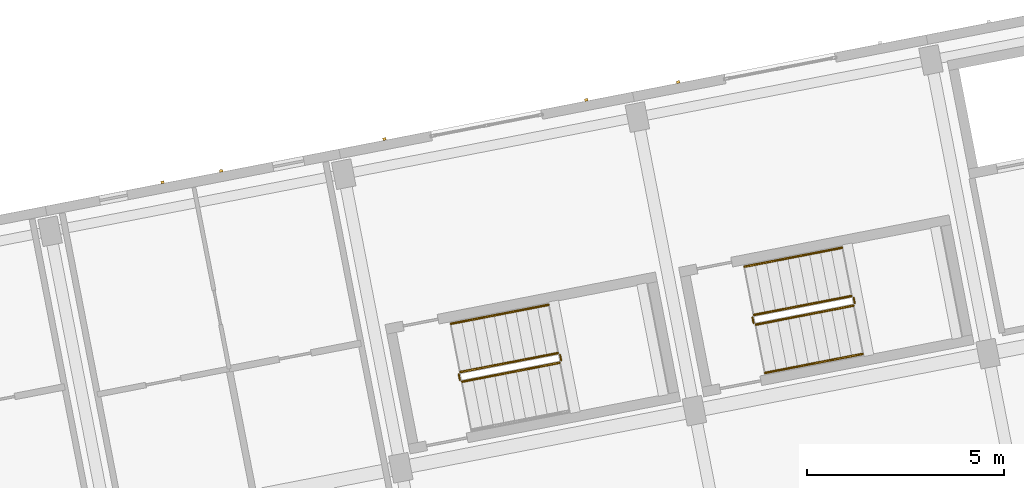
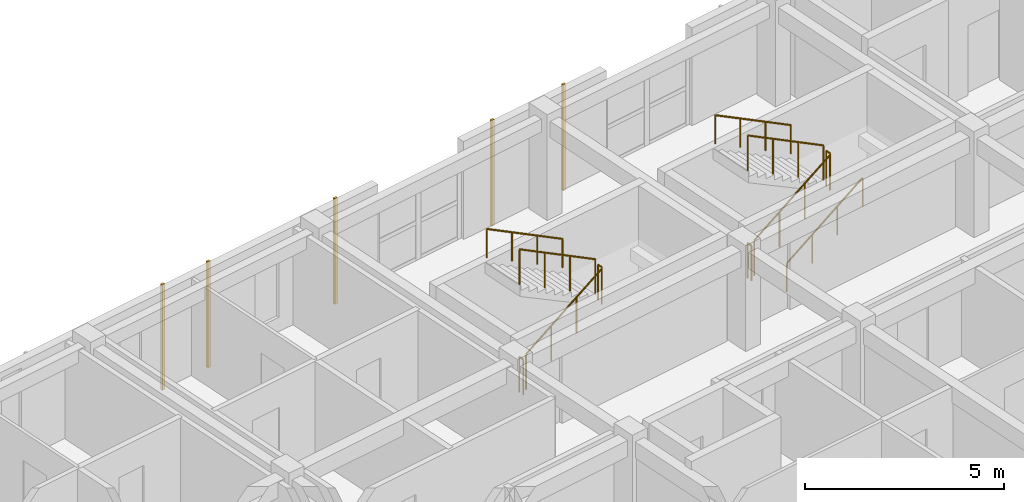
# One storey, part 67 of 74: 11 railings, 5 coverings.
"""IFC4 building model written with IfcOpenShell, lengths in metres."""

from ifc_helpers import new_model, si_unit, direction, frame, origin, origin_2d, place, context, subcontext, project, spatial, rectangle, circle, extrude, material, layer, layer_set, type_object, element, save


model = new_model("IFC4")

# Units and contexts
model_context = context("Model", 3, precision=1e-05, world=origin(), true_north=direction((0.0, 1.0)))
body_context = subcontext(model_context, "Body", "Model", "MODEL_VIEW")
ifc_project = project(units=[si_unit("LENGTHUNIT", "METRE"), si_unit("AREAUNIT", "SQUARE_METRE"), si_unit("VOLUMEUNIT", "CUBIC_METRE"), si_unit("PLANEANGLEUNIT", "RADIAN"), si_unit("MASSUNIT", "GRAM", prefix="KILO")], contexts=[model_context])

# Site, building, storey
site_placement = place(None, origin())
site = spatial("IfcSite", under=ifc_project, at=site_placement, CompositionType="ELEMENT")
building_placement = place(site_placement, origin())
building = spatial("IfcBuilding", under=site, at=building_placement, Name="Kestramere Prow Commons", CompositionType="ELEMENT")
storey_placement = place(building_placement, frame((0.0, 0.0, 11.64990234375)))
storey = spatial("IfcBuildingStorey", under=building, at=storey_placement, Name="L03", CompositionType="ELEMENT", Elevation=11.64990234375)

# Coverings
ifc_material_1 = material(Name="Weathered Zinc-Titanium Standing-Seam Cladding")
ifc_layer = layer(ifc_material_1, 0.074951171875)
ifc_layer_set = layer_set([ifc_layer], Name="Weathered Zinc-Titanium Standing-Seam Cladding")
covering_type = type_object("IfcCoveringType", Name="COV-CLAD-SEAM", PredefinedType="CLADDING", material=ifc_layer_set)
for number, where, z_axis, x_axis, name in (
    (1, (132.435791015625, 57.38525390625, -0.25), (0.0, 0.0, 1.0), (0.981627183448, 0.190808995377, 0.0), "EW-D-L03-N-2 Standing-Seam Rib 2"),
    (2, (133.927734375, 57.67529296875, -0.25), (0.0, 0.0, 1.0), (0.981627183448, 0.190808995377, 0.0), "EW-D-L03-N-2 Standing-Seam Rib 3"),
    (3, (138.07763671875, 58.48193359375, -0.25), (0.0, 0.0, 1.0), (0.981627183448, 0.190808995377, 0.0), "EW-D-L03-NP-3-L Standing-Seam Rib 1"),
    (4, (143.20654296875, 59.47900390625, -0.25), (0.0, 0.0, 1.0), (0.981627183448, 0.190808995377, 0.0), "EW-D-L03-NP-3-R Standing-Seam Rib 1"),
    (5, (145.5380859375, 59.93212890625, -0.25), (0.0, 0.0, 1.0), (0.981627183448, 0.190808995377, 0.0), "EW-D-L03-NP-4-L Standing-Seam Rib 1"),
):
    element("IfcCovering", number, at=place(storey_placement, frame(where, z_axis=z_axis, x_axis=x_axis)), inside=storey, type_object=covering_type, Name=name, PredefinedType="CLADDING", context=body_context, shape_type="SweptSolid", body=[
        extrude(rectangle(XDim=0.0849609375, YDim=0.06494140625, at=origin_2d()), origin(), (0.0, 0.0, 1.0), 3.25),
    ])

# Railings
ifc_material_2 = material(Name="Galvanised Steel S275JR", Category="steel")
railing_type_1 = type_object("IfcRailingType", Name="RL-ST-GR-1100", PredefinedType="GUARDRAIL", material=ifc_material_2)
railing_1_placement = place(storey_placement, frame((140.052490234375, 52.318115234375, 0.16259765625)))
element("IfcRailing", 6, at=railing_1_placement, inside=storey, type_object=railing_type_1, Name="L03 ST-D1 stair guard 1", PredefinedType="GUARDRAIL", context=body_context, shape_type="SweptSolid", body=[
    extrude(circle(Radius=0.02392578125, at=origin_2d()), frame((0.0, 0.0, 1.076171875), z_axis=(0.849043739131, 0.164982445707, 0.501901904411), x_axis=(-0.190747789018, 0.981639078778, 0.0)), (0.0, 0.0, 1.0), 2.913818359375),
    extrude(circle(Radius=0.02099609375, at=origin_2d()), origin(), (0.0, 0.0, 1.0), 1.052001953125),
    extrude(circle(Radius=0.02099609375, at=origin_2d()), frame((0.82470703125, 0.16015625, 0.487548828125)), (0.0, 0.0, 1.0), 1.052001953125),
    extrude(circle(Radius=0.02099609375, at=origin_2d()), frame((1.649169921875, 0.320556640625, 0.974853515625)), (0.0, 0.0, 1.0), 1.052001953125),
    extrude(circle(Radius=0.02099609375, at=origin_2d()), frame((2.473876953125, 0.480712890625, 1.46240234375)), (0.0, 0.0, 1.0), 1.052001953125),
])
railing_2_placement = place(storey_placement, frame((142.56591796875, 52.857421875, 1.625)))
element("IfcRailing", 7, at=railing_2_placement, inside=storey, type_object=railing_type_1, Name="L03 ST-D1 stair guard 2", PredefinedType="GUARDRAIL", context=body_context, shape_type="SweptSolid", body=[
    extrude(circle(Radius=0.02392578125, at=origin_2d()), frame((0.0, 0.0, 1.076171875), z_axis=(-0.191739424664, 0.981445868619, 0.0), x_axis=(-0.981445868619, -0.191739424664, 0.0)), (0.0, 0.0, 1.0), 0.150146484375),
    extrude(circle(Radius=0.02099609375, at=origin_2d()), origin(), (0.0, 0.0, 1.0), 1.052001953125),
    extrude(circle(Radius=0.02099609375, at=origin_2d()), frame((-0.02880859375, 0.1474609375, 0.0)), (0.0, 0.0, 1.0), 1.052001953125),
])
railing_3_placement = place(storey_placement, frame((142.478515625, 53.044189453125, 1.78759765625)))
element("IfcRailing", 8, at=railing_3_placement, inside=storey, type_object=railing_type_1, Name="L03 ST-D1 stair guard 3", PredefinedType="GUARDRAIL", context=body_context, shape_type="SweptSolid", body=[
    extrude(circle(Radius=0.02392578125, at=origin_2d()), frame((0.0, 0.0, 1.076171875), z_axis=(-0.849020348783, -0.164994183454, 0.501937612437), x_axis=(0.190765930203, -0.981635553489, 0.0)), (0.0, 0.0, 1.0), 2.91357421875),
    extrude(circle(Radius=0.02099609375, at=origin_2d()), origin(), (0.0, 0.0, 1.0), 1.052001953125),
    extrude(circle(Radius=0.02099609375, at=origin_2d()), frame((-0.824462890625, -0.16015625, 0.487548828125)), (0.0, 0.0, 1.0), 1.052001953125),
    extrude(circle(Radius=0.02099609375, at=origin_2d()), frame((-1.649169921875, -0.320556640625, 0.974853515625)), (0.0, 0.0, 1.0), 1.052001953125),
    extrude(circle(Radius=0.02099609375, at=origin_2d()), frame((-2.4736328125, -0.480712890625, 1.46240234375)), (0.0, 0.0, 1.0), 1.052001953125),
])
railing_4_placement = place(storey_placement, frame((139.993896484375, 52.357666015625, 0.0)))
element("IfcRailing", 9, at=railing_4_placement, inside=storey, type_object=railing_type_1, Name="L03 ST-D1 stair guard 4", PredefinedType="GUARDRAIL", context=body_context, shape_type="SweptSolid", body=[
    extrude(circle(Radius=0.02392578125, at=origin_2d()), frame((0.0, 0.0, 1.076171875), z_axis=(-0.190477468355, 0.981691567677, 0.0), x_axis=(-0.981691567677, -0.190477468355, 0.0)), (0.0, 0.0, 1.0), 0.14990234375),
    extrude(circle(Radius=0.02099609375, at=origin_2d()), origin(), (0.0, 0.0, 1.0), 1.052001953125),
    extrude(circle(Radius=0.02099609375, at=origin_2d()), frame((-0.028564453125, 0.147216796875, 0.0)), (0.0, 0.0, 1.0), 1.052001953125),
])
railing_5_placement = place(storey_placement, frame((147.512939453125, 53.768310546875, 0.16259765625)))
element("IfcRailing", 10, at=railing_5_placement, inside=storey, type_object=railing_type_1, Name="L03 ST-D2 stair guard 1", PredefinedType="GUARDRAIL", context=body_context, shape_type="SweptSolid", body=[
    extrude(circle(Radius=0.02392578125, at=origin_2d()), frame((0.0, 0.0, 1.076171875), z_axis=(0.849020348783, 0.164994183454, 0.501937612437), x_axis=(-0.190765930203, 0.981635553489, 0.0)), (0.0, 0.0, 1.0), 2.91357421875),
    extrude(circle(Radius=0.02099609375, at=origin_2d()), origin(), (0.0, 0.0, 1.0), 1.052001953125),
    extrude(circle(Radius=0.02099609375, at=origin_2d()), frame((0.824462890625, 0.16015625, 0.487548828125)), (0.0, 0.0, 1.0), 1.052001953125),
    extrude(circle(Radius=0.02099609375, at=origin_2d()), frame((1.649169921875, 0.320556640625, 0.974853515625)), (0.0, 0.0, 1.0), 1.052001953125),
    extrude(circle(Radius=0.02099609375, at=origin_2d()), frame((2.4736328125, 0.480712890625, 1.46240234375)), (0.0, 0.0, 1.0), 1.052001953125),
])
railing_6_placement = place(storey_placement, frame((150.026123046875, 54.3076171875, 1.625)))
element("IfcRailing", 11, at=railing_6_placement, inside=storey, type_object=railing_type_1, Name="L03 ST-D2 stair guard 2", PredefinedType="GUARDRAIL", context=body_context, shape_type="SweptSolid", body=[
    extrude(circle(Radius=0.02392578125, at=origin_2d()), frame((0.0, 0.0, 1.076171875), z_axis=(-0.190477468355, 0.981691567677, 0.0), x_axis=(-0.981691567677, -0.190477468355, 0.0)), (0.0, 0.0, 1.0), 0.14990234375),
    extrude(circle(Radius=0.02099609375, at=origin_2d()), origin(), (0.0, 0.0, 1.0), 1.052001953125),
    extrude(circle(Radius=0.02099609375, at=origin_2d()), frame((-0.028564453125, 0.147216796875, 0.0)), (0.0, 0.0, 1.0), 1.052001953125),
])
railing_7_placement = place(storey_placement, frame((149.93896484375, 54.494384765625, 1.78759765625)))
element("IfcRailing", 12, at=railing_7_placement, inside=storey, type_object=railing_type_1, Name="L03 ST-D2 stair guard 3", PredefinedType="GUARDRAIL", context=body_context, shape_type="SweptSolid", body=[
    extrude(circle(Radius=0.02392578125, at=origin_2d()), frame((0.0, 0.0, 1.076171875), z_axis=(-0.849020348783, -0.164994183454, 0.501937612437), x_axis=(0.190765930203, -0.981635553489, 0.0)), (0.0, 0.0, 1.0), 2.91357421875),
    extrude(circle(Radius=0.02099609375, at=origin_2d()), origin(), (0.0, 0.0, 1.0), 1.052001953125),
    extrude(circle(Radius=0.02099609375, at=origin_2d()), frame((-0.824462890625, -0.16015625, 0.487548828125)), (0.0, 0.0, 1.0), 1.052001953125),
    extrude(circle(Radius=0.02099609375, at=origin_2d()), frame((-1.649169921875, -0.320556640625, 0.974853515625)), (0.0, 0.0, 1.0), 1.052001953125),
    extrude(circle(Radius=0.02099609375, at=origin_2d()), frame((-2.4736328125, -0.480712890625, 1.46240234375)), (0.0, 0.0, 1.0), 1.052001953125),
])
railing_8_placement = place(storey_placement, frame((147.454345703125, 53.807861328125, 0.0)))
element("IfcRailing", 13, at=railing_8_placement, inside=storey, type_object=railing_type_1, Name="L03 ST-D2 stair guard 4", PredefinedType="GUARDRAIL", context=body_context, shape_type="SweptSolid", body=[
    extrude(circle(Radius=0.02392578125, at=origin_2d()), frame((0.0, 0.0, 1.076171875), z_axis=(-0.190477468355, 0.981691567677, 0.0), x_axis=(-0.981691567677, -0.190477468355, 0.0)), (0.0, 0.0, 1.0), 0.14990234375),
    extrude(circle(Radius=0.02099609375, at=origin_2d()), origin(), (0.0, 0.0, 1.0), 1.052001953125),
    extrude(circle(Radius=0.02099609375, at=origin_2d()), frame((-0.028564453125, 0.147216796875, 0.0)), (0.0, 0.0, 1.0), 1.052001953125),
])
ifc_material_3 = material(Name="Stainless Steel 304", Category="steel")
railing_type_2 = type_object("IfcRailingType", Name="RL-ST-HR-900", PredefinedType="HANDRAIL", material=ifc_material_3)
railing_9_placement = place(storey_placement, frame((142.239990234375, 54.271240234375, 1.9501953125)))
element("IfcRailing", 14, at=railing_9_placement, inside=storey, type_object=railing_type_2, Name="L03 ST-D1 stair handrail 2", PredefinedType="HANDRAIL", context=body_context, shape_type="SweptSolid", body=[
    extrude(circle(Radius=0.02392578125, at=origin_2d()), frame((0.0, 0.0, 0.8759765625), z_axis=(-0.849020348783, -0.164994183454, 0.501937612437), x_axis=(0.190765930203, -0.981635553489, 0.0)), (0.0, 0.0, 1.0), 2.91357421875),
    extrude(circle(Radius=0.02099609375, at=origin_2d()), origin(), (0.0, 0.0, 1.0), 0.851806640625),
    extrude(circle(Radius=0.02099609375, at=origin_2d()), frame((-0.824462890625, -0.16015625, 0.487548828125)), (0.0, 0.0, 1.0), 0.851806640625),
    extrude(circle(Radius=0.02099609375, at=origin_2d()), frame((-1.649169921875, -0.320556640625, 0.974853515625)), (0.0, 0.0, 1.0), 0.851806640625),
    extrude(circle(Radius=0.02099609375, at=origin_2d()), frame((-2.4736328125, -0.480712890625, 1.46240234375)), (0.0, 0.0, 1.0), 0.851806640625),
])
railing_10_placement = place(storey_placement, frame((147.75146484375, 52.541259765625, 0.3251953125)))
element("IfcRailing", 15, at=railing_10_placement, inside=storey, type_object=railing_type_2, Name="L03 ST-D2 stair handrail 1", PredefinedType="HANDRAIL", context=body_context, shape_type="SweptSolid", body=[
    extrude(circle(Radius=0.02392578125, at=origin_2d()), frame((0.0, 0.0, 0.8759765625), z_axis=(0.849020348783, 0.164994183454, 0.501937612437), x_axis=(-0.190765930203, 0.981635553489, 0.0)), (0.0, 0.0, 1.0), 2.91357421875),
    extrude(circle(Radius=0.02099609375, at=origin_2d()), origin(), (0.0, 0.0, 1.0), 0.851806640625),
    extrude(circle(Radius=0.02099609375, at=origin_2d()), frame((0.824462890625, 0.16015625, 0.487548828125)), (0.0, 0.0, 1.0), 0.851806640625),
    extrude(circle(Radius=0.02099609375, at=origin_2d()), frame((1.649169921875, 0.320556640625, 0.974853515625)), (0.0, 0.0, 1.0), 0.851806640625),
    extrude(circle(Radius=0.02099609375, at=origin_2d()), frame((2.4736328125, 0.480712890625, 1.46240234375)), (0.0, 0.0, 1.0), 0.851806640625),
])
railing_11_placement = place(storey_placement, frame((149.700439453125, 55.721435546875, 1.9501953125)))
element("IfcRailing", 16, at=railing_11_placement, inside=storey, type_object=railing_type_2, Name="L03 ST-D2 stair handrail 2", PredefinedType="HANDRAIL", context=body_context, shape_type="SweptSolid", body=[
    extrude(circle(Radius=0.02392578125, at=origin_2d()), frame((0.0, 0.0, 0.8759765625), z_axis=(-0.849020348783, -0.164994183454, 0.501937612437), x_axis=(0.190765930203, -0.981635553489, 0.0)), (0.0, 0.0, 1.0), 2.91357421875),
    extrude(circle(Radius=0.02099609375, at=origin_2d()), origin(), (0.0, 0.0, 1.0), 0.851806640625),
    extrude(circle(Radius=0.02099609375, at=origin_2d()), frame((-0.824462890625, -0.16015625, 0.487548828125)), (0.0, 0.0, 1.0), 0.851806640625),
    extrude(circle(Radius=0.02099609375, at=origin_2d()), frame((-1.649169921875, -0.320556640625, 0.974853515625)), (0.0, 0.0, 1.0), 0.851806640625),
    extrude(circle(Radius=0.02099609375, at=origin_2d()), frame((-2.4736328125, -0.480712890625, 1.46240234375)), (0.0, 0.0, 1.0), 0.851806640625),
])

save(model, "model.ifc")
